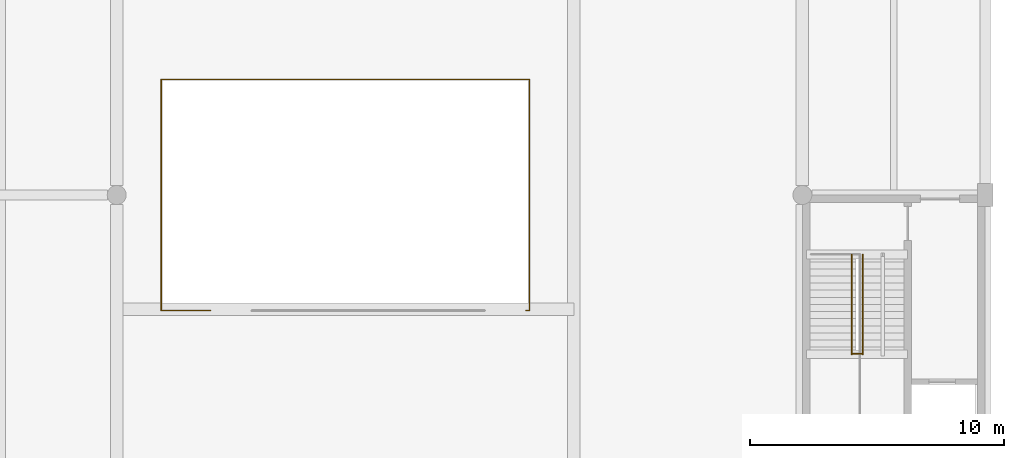
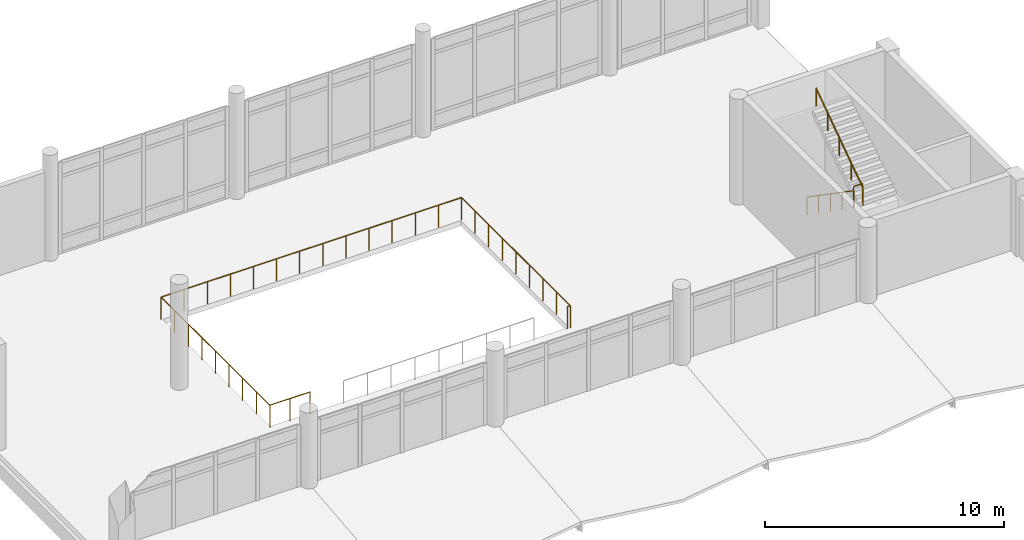
# One storey, part 168 of 180: 4 railings.
"""IFC4 building model written with IfcOpenShell, lengths in metres."""

import ifcopenshell
import ifcopenshell.guid

model = None  # the IFC model being written
_history = None  # IfcOwnerHistory: only IFC2X3 demands one
_inside = {}  # id of a spatial element -> (the spatial element, [elements in it])
_under = {}  # id of a project, library or spatial element -> (it, [spatial elements below it])
_declared = {}  # id of a project -> (the project, [libraries it declares])
_typed = {}  # id of a type object -> (the type object, [elements of that type])
_made_of = {}  # id of a material, layer set ... -> (it, [elements and type objects made of it])


def new_model(schema):
    """Start an empty IFC model of exactly this schema.

    Asked for "IFC4X3", IfcOpenShell would pick the latest addendum, in which some entities
    have other attributes; the version numbers below select the first issue.
    IFC2X3 requires an IfcOwnerHistory on every rooted entity: one is made here for all.
    """
    global model, _history
    if schema == "IFC4X3":
        model = ifcopenshell.file(schema_version=(4, 3, 0, 0))
    else:
        model = ifcopenshell.file(schema=schema)
    _inside.clear()
    _under.clear()
    _declared.clear()
    _typed.clear()
    _made_of.clear()
    _history = None
    if model.schema == "IFC2X3":
        org = make("IfcOrganization", Name="unknown")
        user = make(
            "IfcPersonAndOrganization",
            ThePerson=make("IfcPerson", FamilyName="unknown"),
            TheOrganization=org,
        )
        app = make(
            "IfcApplication",
            ApplicationDeveloper=org,
            Version="unknown",
            ApplicationFullName="unknown",
            ApplicationIdentifier="unknown",
        )
        _history = make(
            "IfcOwnerHistory",
            OwningUser=user,
            OwningApplication=app,
            ChangeAction="ADDED",
            CreationDate=0,
        )
    return model


def make(cls, **values):
    """One entity of the class cls with the attributes given. An attribute that is None is left unset."""
    return model.create_entity(
        cls, **{name: value for name, value in values.items() if value is not None}
    )


def rooted(cls, **values):
    """An entity with a GlobalId (a new one), such as an element, a storey or a relation."""
    return make(cls, GlobalId=ifcopenshell.guid.new(), OwnerHistory=_history, **values)


def si_unit(unit_type, name, prefix=None):
    """IfcSIUnit, for example si_unit("LENGTHUNIT", "METRE", prefix="MILLI")."""
    return make("IfcSIUnit", UnitType=unit_type, Prefix=prefix, Name=name)


def assignment(units):
    """IfcUnitAssignment: the units of a project."""
    return None if units is None else make("IfcUnitAssignment", Units=units)


def point(xyz):
    """IfcCartesianPoint."""
    return None if xyz is None else make("IfcCartesianPoint", Coordinates=xyz)


def direction(xyz):
    """IfcDirection."""
    return None if xyz is None else make("IfcDirection", DirectionRatios=xyz)


def frame(location, z_axis=None, x_axis=None):
    """IfcAxis2Placement3D, a coordinate frame: its origin and axes. An axis left out is left unset."""
    return make(
        "IfcAxis2Placement3D",
        Location=point(location),
        Axis=direction(z_axis),
        RefDirection=direction(x_axis),
    )


def frame_2d(location, x_axis=None):
    """IfcAxis2Placement2D, a coordinate frame in the plane: its origin and x axis."""
    return make(
        "IfcAxis2Placement2D", Location=point(location), RefDirection=direction(x_axis)
    )


def origin():
    """The frame at (0, 0, 0) with its axes left unset."""
    return frame((0.0, 0.0, 0.0))


def origin_2d():
    """The frame at (0, 0) in the plane with its x axis left unset."""
    return frame_2d((0.0, 0.0))


def place(relative_to, where):
    """IfcLocalPlacement: puts the frame where relative to a parent placement (None: the world)."""
    return make(
        "IfcLocalPlacement", PlacementRelTo=relative_to, RelativePlacement=where
    )


def context(
    kind, dimensions, precision=None, world=None, true_north=None, identifier=None
):
    """IfcGeometricRepresentationContext, for example the 3D "Model" context."""
    return make(
        "IfcGeometricRepresentationContext",
        ContextIdentifier=identifier,
        ContextType=kind,
        CoordinateSpaceDimension=dimensions,
        Precision=precision,
        WorldCoordinateSystem=world,
        TrueNorth=true_north,
    )


def subcontext(parent, identifier, kind, view, scale=None):
    """IfcGeometricRepresentationSubContext, for example "Body" below "Model"."""
    return make(
        "IfcGeometricRepresentationSubContext",
        ContextIdentifier=identifier,
        ContextType=kind,
        ParentContext=parent,
        TargetScale=scale,
        TargetView=view,
    )


def project(units=None, contexts=None):
    """IfcProject with its units and contexts."""
    return rooted(
        "IfcProject",
        Name="project",
        RepresentationContexts=contexts,
        UnitsInContext=assignment(units),
    )


def spatial(cls, under=None, at=None, **own):
    """A site, building, storey or space (cls), placed at a placement, below another one or the project."""
    s = rooted(cls, ObjectPlacement=at, **own)
    if under is not None:
        _under.setdefault(under.id(), (under, []))[1].append(s)
    return s


def profile(cls, at=None, kind="AREA", **sizes):
    """A parametric profile (cls). Its sizes go by their IFC names, for example OverallWidth=200.0."""
    return make(cls, ProfileType=kind, Position=at, **sizes)


def circle(**sizes):
    """IfcCircleProfileDef."""
    return profile("IfcCircleProfileDef", **sizes)


def extrude(swept, where, along, depth):
    """IfcExtrudedAreaSolid: the profile swept, set in the frame where, extruded along a direction by depth."""
    return make(
        "IfcExtrudedAreaSolid",
        SweptArea=swept,
        Position=where,
        ExtrudedDirection=direction(along),
        Depth=depth,
    )


def shape(context_of_items, identifier, shape_type, items):
    """IfcShapeRepresentation: the items that make up one representation, for example the "Body"."""
    return make(
        "IfcShapeRepresentation",
        ContextOfItems=context_of_items,
        RepresentationIdentifier=identifier,
        RepresentationType=shape_type,
        Items=items,
    )


def material(Name=None, Category=None):
    """IfcMaterial."""
    return make("IfcMaterial", Name=Name, Category=Category)


def made_of(thing, what):
    """Note that an element or type object is made of a material, layer set ...; save() writes the relation."""
    if what is not None:
        _made_of.setdefault(what.id(), (what, []))[1].append(thing)
    return thing


def type_object(cls, material=None, **own):
    """A type object (cls), such as IfcWallType, which elements share."""
    return made_of(rooted(cls, **own), material)


def element(
    cls,
    number,
    at=None,
    inside=None,
    cuts=None,
    type_object=None,
    material=None,
    context=None,
    identifier="Body",
    shape_type=None,
    held_by="IfcProductDefinitionShape",
    body=None,
    shapes=None,
    **own,
):
    """One element of the class cls, such as IfcWall. Its Tag is "e" and its number.

    at: its placement. inside: the storey or other place that contains it. cuts: it is an
    opening in that element (IfcRelVoidsElement). A single representation is given by context,
    identifier, shape_type and body (its items); several are given by shapes. held_by: the class
    of the entity that holds the representations. save() writes the other relations.
    """
    e = rooted(cls, Tag="e%d" % number, ObjectPlacement=at, **own)
    if body is not None:
        shapes = [shape(context, identifier, shape_type, body)]
    if shapes is not None:
        e.Representation = make(held_by, Representations=shapes)
    if inside is not None:
        _inside.setdefault(inside.id(), (inside, []))[1].append(e)
    if cuts is not None:
        rooted(
            "IfcRelVoidsElement", RelatingBuildingElement=cuts, RelatedOpeningElement=e
        )
    if type_object is not None:
        _typed.setdefault(type_object.id(), (type_object, []))[1].append(e)
    return made_of(e, material)


def aggregate(whole, parts):
    """IfcRelAggregates: a whole, such as a stair, and the parts it consists of."""
    return rooted("IfcRelAggregates", RelatingObject=whole, RelatedObjects=parts)


def save(model, path):
    """Write the relations noted so far, then the file.

    IfcRelAggregates (storeys below a building ...), IfcRelContainedInSpatialStructure (elements
    in a storey), IfcRelDefinesByType, IfcRelAssociatesMaterial and IfcRelDeclares: one each for
    every whole, place, type object, material and project.
    """
    for whole, parts in _under.values():
        aggregate(whole, parts)
    for where, things in _inside.values():
        rooted(
            "IfcRelContainedInSpatialStructure",
            RelatedElements=things,
            RelatingStructure=where,
        )
    for kind, things in _typed.values():
        rooted("IfcRelDefinesByType", RelatedObjects=things, RelatingType=kind)
    for what, things in _made_of.values():
        rooted("IfcRelAssociatesMaterial", RelatedObjects=things, RelatingMaterial=what)
    for by, libraries in _declared.values():
        rooted("IfcRelDeclares", RelatingContext=by, RelatedDefinitions=libraries)
    model.write(path)


model = new_model("IFC4")

# Units and contexts
model_context = context("Model", 3, precision=1e-05, world=origin(), true_north=direction((0.0, 1.0)))
body_context = subcontext(model_context, "Body", "Model", "MODEL_VIEW")
ifc_project = project(units=[si_unit("LENGTHUNIT", "METRE"), si_unit("AREAUNIT", "SQUARE_METRE"), si_unit("VOLUMEUNIT", "CUBIC_METRE"), si_unit("PLANEANGLEUNIT", "RADIAN"), si_unit("MASSUNIT", "GRAM", prefix="KILO")], contexts=[model_context])

# Site, building, storey
site_placement = place(None, origin())
site = spatial("IfcSite", under=ifc_project, at=site_placement, CompositionType="ELEMENT")
building_placement = place(site_placement, origin())
building = spatial("IfcBuilding", under=site, at=building_placement, Name="Lusvemor Sports Hall", CompositionType="ELEMENT")
storey_placement = place(building_placement, frame((0.0, 0.0, 5.39990234375)))
storey = spatial("IfcBuildingStorey", under=building, at=storey_placement, Name="L01", CompositionType="ELEMENT", Elevation=5.39990234375)

# Railings
ifc_material_1 = material(Name="Bronze-finished wrought-steel Art Nouveau balustrade", Category="steel")
railing_type_1 = type_object("IfcRailingType", Name="RAIL_ATRIUM_BAL_115", PredefinedType="BALUSTRADE", material=ifc_material_1)
railing_1_placement = place(storey_placement, frame((88.2900390625, 13.449951171875, 0.0)))
element("IfcRailing", 1, at=railing_1_placement, inside=storey, type_object=railing_type_1, Name="Foyer Atrium Balustrade", PredefinedType="BALUSTRADE", context=body_context, shape_type="SweptSolid", body=[
    extrude(circle(Radius=0.02392578125, at=origin_2d()), frame((0.0, 0.0, 1.1259765625), z_axis=(-1.0, 0.0, 0.0), x_axis=(0.0, -1.0, 0.0)), (0.0, 0.0, 1.0), 1.93994140625),
    extrude(circle(Radius=0.02392578125, at=origin_2d()), frame((-1.93994140625, 0.0, 1.1259765625), z_axis=(0.0, 1.0, 0.0), x_axis=(-1.0, 0.0, 0.0)), (0.0, 0.0, 1.0), 9.10009765625),
    extrude(circle(Radius=0.02392578125, at=origin_2d()), frame((-1.93994140625, 9.10009765625, 1.1259765625), z_axis=(1.0, 0.0, 0.0), x_axis=(0.0, 1.0, 0.0)), (0.0, 0.0, 1.0), 14.5),
    extrude(circle(Radius=0.02392578125, at=origin_2d()), frame((12.56005859375, 9.10009765625, 1.1259765625), z_axis=(0.0, -1.0, 0.0), x_axis=(1.0, 0.0, 0.0)), (0.0, 0.0, 1.0), 9.10009765625),
    extrude(circle(Radius=0.02392578125, at=origin_2d()), frame((12.56005859375, 0.0, 1.1259765625), z_axis=(-1.0, 0.0, 0.0), x_axis=(0.0, -1.0, 0.0)), (0.0, 0.0, 1.0), 0.14013671875),
    extrude(circle(Radius=0.02099609375, at=origin_2d()), origin(), (0.0, 0.0, 1.0), 1.101806640625),
    extrude(circle(Radius=0.02099609375, at=origin_2d()), frame((-0.969970703125, 0.0, 0.0)), (0.0, 0.0, 1.0), 1.101806640625),
    extrude(circle(Radius=0.02099609375, at=origin_2d()), frame((-1.93994140625, 0.0, 0.0)), (0.0, 0.0, 1.0), 1.101806640625),
    extrude(circle(Radius=0.02099609375, at=origin_2d()), frame((-1.93994140625, 1.137451171875, 0.0)), (0.0, 0.0, 1.0), 1.101806640625),
    extrude(circle(Radius=0.02099609375, at=origin_2d()), frame((-1.93994140625, 2.27490234375, 0.0)), (0.0, 0.0, 1.0), 1.101806640625),
    extrude(circle(Radius=0.02099609375, at=origin_2d()), frame((-1.93994140625, 3.41259765625, 0.0)), (0.0, 0.0, 1.0), 1.101806640625),
    extrude(circle(Radius=0.02099609375, at=origin_2d()), frame((-1.93994140625, 4.550048828125, 0.0)), (0.0, 0.0, 1.0), 1.101806640625),
    extrude(circle(Radius=0.02099609375, at=origin_2d()), frame((-1.93994140625, 5.6875, 0.0)), (0.0, 0.0, 1.0), 1.101806640625),
    extrude(circle(Radius=0.02099609375, at=origin_2d()), frame((-1.93994140625, 6.8251953125, 0.0)), (0.0, 0.0, 1.0), 1.101806640625),
    extrude(circle(Radius=0.02099609375, at=origin_2d()), frame((-1.93994140625, 7.962646484375, 0.0)), (0.0, 0.0, 1.0), 1.101806640625),
    extrude(circle(Radius=0.02099609375, at=origin_2d()), frame((-1.93994140625, 9.10009765625, 0.0)), (0.0, 0.0, 1.0), 1.101806640625),
    extrude(circle(Radius=0.02099609375, at=origin_2d()), frame((-0.824462890625, 9.10009765625, 0.0)), (0.0, 0.0, 1.0), 1.101806640625),
    extrude(circle(Radius=0.02099609375, at=origin_2d()), frame((0.290771484375, 9.10009765625, 0.0)), (0.0, 0.0, 1.0), 1.101806640625),
    extrude(circle(Radius=0.02099609375, at=origin_2d()), frame((1.40625, 9.10009765625, 0.0)), (0.0, 0.0, 1.0), 1.101806640625),
    extrude(circle(Radius=0.02099609375, at=origin_2d()), frame((2.521484375, 9.10009765625, 0.0)), (0.0, 0.0, 1.0), 1.101806640625),
    extrude(circle(Radius=0.02099609375, at=origin_2d()), frame((3.636962890625, 9.10009765625, 0.0)), (0.0, 0.0, 1.0), 1.101806640625),
    extrude(circle(Radius=0.02099609375, at=origin_2d()), frame((4.75244140625, 9.10009765625, 0.0)), (0.0, 0.0, 1.0), 1.101806640625),
    extrude(circle(Radius=0.02099609375, at=origin_2d()), frame((5.86767578125, 9.10009765625, 0.0)), (0.0, 0.0, 1.0), 1.101806640625),
    extrude(circle(Radius=0.02099609375, at=origin_2d()), frame((6.983154296875, 9.10009765625, 0.0)), (0.0, 0.0, 1.0), 1.101806640625),
    extrude(circle(Radius=0.02099609375, at=origin_2d()), frame((8.0986328125, 9.10009765625, 0.0)), (0.0, 0.0, 1.0), 1.101806640625),
    extrude(circle(Radius=0.02099609375, at=origin_2d()), frame((9.2138671875, 9.10009765625, 0.0)), (0.0, 0.0, 1.0), 1.101806640625),
    extrude(circle(Radius=0.02099609375, at=origin_2d()), frame((10.329345703125, 9.10009765625, 0.0)), (0.0, 0.0, 1.0), 1.101806640625),
    extrude(circle(Radius=0.02099609375, at=origin_2d()), frame((11.444580078125, 9.10009765625, 0.0)), (0.0, 0.0, 1.0), 1.101806640625),
    extrude(circle(Radius=0.02099609375, at=origin_2d()), frame((12.56005859375, 9.10009765625, 0.0)), (0.0, 0.0, 1.0), 1.101806640625),
    extrude(circle(Radius=0.02099609375, at=origin_2d()), frame((12.56005859375, 7.962646484375, 0.0)), (0.0, 0.0, 1.0), 1.101806640625),
    extrude(circle(Radius=0.02099609375, at=origin_2d()), frame((12.56005859375, 6.8251953125, 0.0)), (0.0, 0.0, 1.0), 1.101806640625),
    extrude(circle(Radius=0.02099609375, at=origin_2d()), frame((12.56005859375, 5.6875, 0.0)), (0.0, 0.0, 1.0), 1.101806640625),
    extrude(circle(Radius=0.02099609375, at=origin_2d()), frame((12.56005859375, 4.550048828125, 0.0)), (0.0, 0.0, 1.0), 1.101806640625),
    extrude(circle(Radius=0.02099609375, at=origin_2d()), frame((12.56005859375, 3.41259765625, 0.0)), (0.0, 0.0, 1.0), 1.101806640625),
    extrude(circle(Radius=0.02099609375, at=origin_2d()), frame((12.56005859375, 2.27490234375, 0.0)), (0.0, 0.0, 1.0), 1.101806640625),
    extrude(circle(Radius=0.02099609375, at=origin_2d()), frame((12.56005859375, 1.137451171875, 0.0)), (0.0, 0.0, 1.0), 1.101806640625),
    extrude(circle(Radius=0.02099609375, at=origin_2d()), frame((12.56005859375, 0.0, 0.0)), (0.0, 0.0, 1.0), 1.101806640625),
    extrude(circle(Radius=0.02099609375, at=origin_2d()), frame((12.419921875, 0.0, 0.0)), (0.0, 0.0, 1.0), 1.101806640625),
])
ifc_material_2 = material(Name="Bronze-finished wrought-steel Art Nouveau balustrade", Category="steel")
railing_type_2 = type_object("IfcRailingType", Name="RAIL_HANDRAIL_092", PredefinedType="HANDRAIL", material=ifc_material_2)
railing_2_placement = place(storey_placement, frame((113.5400390625, 15.64990234375, 0.0)))
element("IfcRailing", 2, at=railing_2_placement, inside=storey, type_object=railing_type_2, Name="Stair STR-C7-L01 Handrail F1", PredefinedType="HANDRAIL", context=body_context, shape_type="SweptSolid", body=[
    extrude(circle(Radius=0.02392578125, at=origin_2d()), frame((0.0, 0.0, 0.89599609375), z_axis=(0.0, -0.823526770215, 0.56727740898), x_axis=(1.0, 0.0, 0.0)), (0.0, 0.0, 1.0), 4.760009765625),
    extrude(circle(Radius=0.02099609375, at=origin_2d()), origin(), (0.0, 0.0, 1.0), 0.871826171875),
    extrude(circle(Radius=0.02099609375, at=origin_2d()), frame((0.0, -0.97998046875, 0.675048828125)), (0.0, 0.0, 1.0), 0.871826171875),
    extrude(circle(Radius=0.02099609375, at=origin_2d()), frame((0.0, -1.9599609375, 1.35009765625)), (0.0, 0.0, 1.0), 0.871826171875),
    extrude(circle(Radius=0.02099609375, at=origin_2d()), frame((0.0, -2.93994140625, 2.025146484375)), (0.0, 0.0, 1.0), 0.871826171875),
    extrude(circle(Radius=0.02099609375, at=origin_2d()), frame((0.0, -3.919921875, 2.7001953125)), (0.0, 0.0, 1.0), 0.871826171875),
])
railing_3_placement = place(storey_placement, frame((113.97998046875, 11.72998046875, 2.7001953125)))
element("IfcRailing", 3, at=railing_3_placement, inside=storey, type_object=railing_type_2, Name="Stair STR-C7-L01 Handrail F2", PredefinedType="HANDRAIL", context=body_context, shape_type="SweptSolid", body=[
    extrude(circle(Radius=0.02392578125, at=origin_2d()), frame((0.0, 0.0, 0.89599609375), z_axis=(0.0, 0.823550731654, 0.567242622158), x_axis=(-1.0, 0.0, 0.0)), (0.0, 0.0, 1.0), 4.759765625),
    extrude(circle(Radius=0.02099609375, at=origin_2d()), origin(), (0.0, 0.0, 1.0), 0.871826171875),
    extrude(circle(Radius=0.02099609375, at=origin_2d()), frame((0.0, 0.97998046875, 0.675048828125)), (0.0, 0.0, 1.0), 0.871826171875),
    extrude(circle(Radius=0.02099609375, at=origin_2d()), frame((0.0, 1.9599609375, 1.35009765625)), (0.0, 0.0, 1.0), 0.871826171875),
    extrude(circle(Radius=0.02099609375, at=origin_2d()), frame((0.0, 2.93994140625, 2.02490234375)), (0.0, 0.0, 1.0), 0.871826171875),
    extrude(circle(Radius=0.02099609375, at=origin_2d()), frame((0.0, 3.919921875, 2.699951171875)), (0.0, 0.0, 1.0), 0.871826171875),
])
ifc_material_3 = material(Name="Bronze-finished wrought-steel Art Nouveau balustrade", Category="steel")
railing_type_3 = type_object("IfcRailingType", Name="RAIL_STAIR_GUARD_112", PredefinedType="GUARDRAIL", material=ifc_material_3)
railing_4_placement = place(storey_placement, frame((113.5400390625, 11.75, 2.7001953125)))
element("IfcRailing", 4, at=railing_4_placement, inside=storey, type_object=railing_type_3, Name="Stair STR-C7-L01 Mid Well Guard", PredefinedType="GUARDRAIL", context=body_context, shape_type="SweptSolid", body=[
    extrude(circle(Radius=0.02392578125, at=origin_2d()), frame((0.0, 0.0, 1.09619140625), z_axis=(1.0, 0.0, 0.0), x_axis=(0.0, 1.0, 0.0)), (0.0, 0.0, 1.0), 0.43994140625),
    extrude(circle(Radius=0.02099609375, at=origin_2d()), origin(), (0.0, 0.0, 1.0), 1.072021484375),
    extrude(circle(Radius=0.02099609375, at=origin_2d()), frame((0.43994140625, 0.0, 0.0)), (0.0, 0.0, 1.0), 1.072021484375),
])

save(model, "model.ifc")
